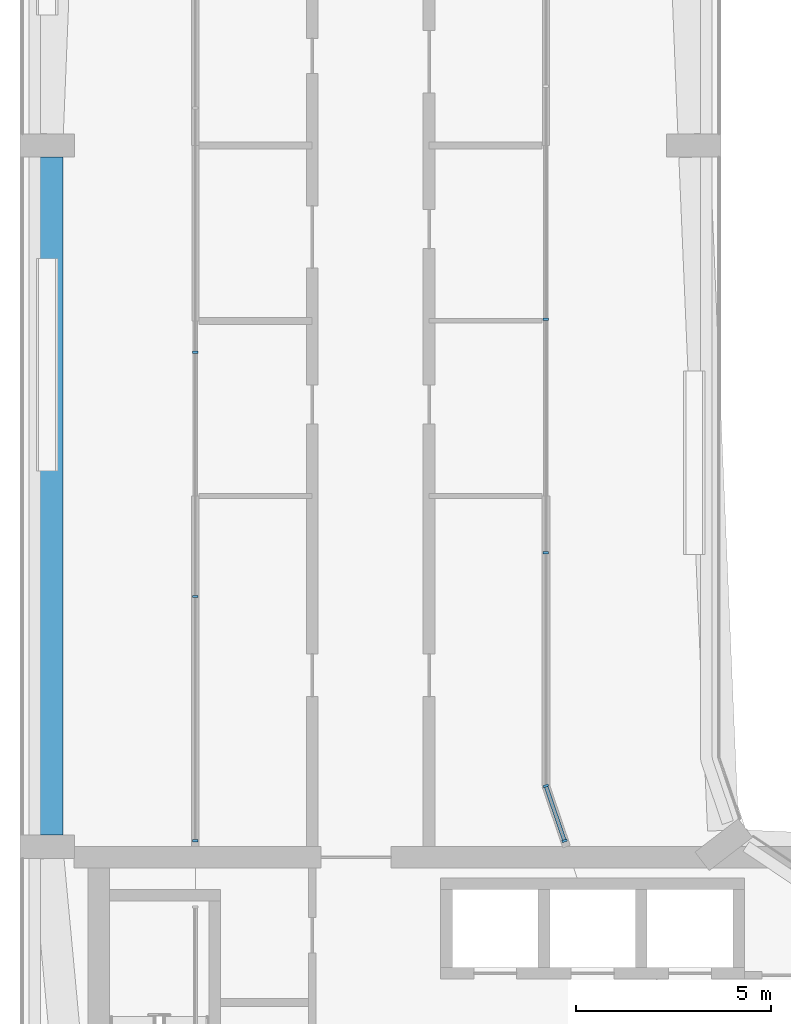
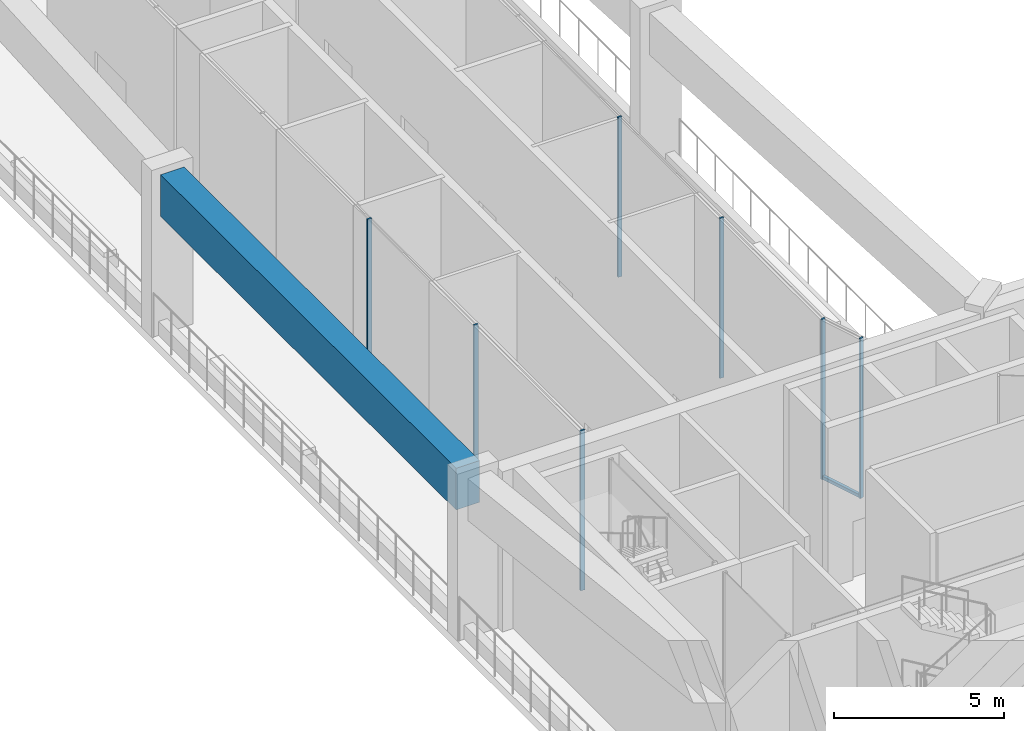
# One storey, part 4 of 17: 8 members, 1 beam, 3 elements without a shape of their own.
"""IFC4 building model written with IfcOpenShell, lengths in metres."""

from ifc_helpers import new_model, si_unit, direction, frame, origin, origin_2d, place, context, subcontext, project, spatial, rectangle, extrude, material, layer, layer_set, material_profile, profile_set, type_object, element, aggregate, save


model = new_model("IFC4")

# Units and contexts
model_context = context("Model", 3, precision=1e-05, world=origin(), true_north=direction((0.0, 1.0)))
body_context = subcontext(model_context, "Body", "Model", "MODEL_VIEW")
ifc_project = project(units=[si_unit("LENGTHUNIT", "METRE"), si_unit("AREAUNIT", "SQUARE_METRE"), si_unit("VOLUMEUNIT", "CUBIC_METRE"), si_unit("PLANEANGLEUNIT", "RADIAN"), si_unit("MASSUNIT", "GRAM", prefix="KILO")], contexts=[model_context])

# Site, building, storey
site_placement = place(None, origin())
site = spatial("IfcSite", under=ifc_project, at=site_placement, CompositionType="ELEMENT")
building_placement = place(site_placement, origin())
building = spatial("IfcBuilding", under=site, at=building_placement, Name="Plateau Cross Towers", CompositionType="ELEMENT")
storey_placement = place(building_placement, frame((0.0, 0.0, 184.89990234375)))
storey = spatial("IfcBuildingStorey", under=building, at=storey_placement, Name="L48", CompositionType="ELEMENT", Elevation=184.89990234375)

# Beam
ifc_material_1 = material(Name="Concrete C60/75", Category="concrete")
ifc_material_profile_1 = material_profile(ifc_material_1, rectangle(XDim=0.800048828125, YDim=1.5, at=origin_2d()), Name="RC 800x1500")
ifc_profile_set_1 = profile_set([ifc_material_profile_1], Name="Concrete C60/75")
beam_type = type_object("IfcBeamType", Name="Belt beam RC 800x1500", PredefinedType="BEAM", material=ifc_profile_set_1)
beam_placement = place(storey_placement, frame((0.699951171875, 35.699951171875, 5.0), z_axis=(0.0, -1.0, 0.0), x_axis=(1.0, 0.0, 0.0)))
element("IfcBeam", 1, at=beam_placement, inside=storey, type_object=beam_type, Name="BELT-L48-10", PredefinedType="BEAM", context=body_context, shape_type="SweptSolid", body=[
    extrude(rectangle(XDim=0.800048828125, YDim=1.5, at=origin_2d()), origin(), (0.0, 0.0, 1.0), 17.39990234375),
])

# Curtain wall, members
ifc_material_2 = material(Name="Dark low-iron glass", Category="glass")
ifc_layer = layer(ifc_material_2, 0.239990234375)
ifc_layer_set = layer_set([ifc_layer], Name="Dark low-iron glass")
curtain_wall_type = type_object("IfcCurtainWallType", Name="Curtain wall flush unitised CW-B", PredefinedType="NOTDEFINED", material=ifc_layer_set)
curtain_wall_1_placement = place(storey_placement, origin())
curtain_wall_1 = element("IfcCurtainWall", 2, at=curtain_wall_1_placement, inside=storey, type_object=curtain_wall_type, Name="ENV/A/L48/inner0_45_182", PredefinedType="NOTDEFINED")
ifc_material_3 = material(Name="Black anodised aluminium", Category="aluminium")
ifc_material_profile_2 = material_profile(ifc_material_3, rectangle(XDim=0.06005859375, YDim=0.139892578125, at=origin_2d()), Name="MULLION 60x140")
ifc_profile_set_2 = profile_set([ifc_material_profile_2], Name="Black anodised aluminium")
member_type_1 = type_object("IfcMemberType", Name="Mullion 60x140 flush unitised", PredefinedType="MULLION", material=ifc_profile_set_2)
member_1_placement = place(storey_placement, frame((4.5, 18.14990234375, 0.0), z_axis=(0.0, 0.0, 1.0), x_axis=(0.0, 1.0, 0.0)))
member_1 = element("IfcMember", 3, at=member_1_placement, type_object=member_type_1, Name="CW-B mullion 1", PredefinedType="MULLION", context=body_context, shape_type="SweptSolid", body=[
    extrude(rectangle(XDim=0.06005859375, YDim=0.139892578125, at=origin_2d()), origin(), (0.0, 0.0, 1.0), 5.75),
])
member_2_placement = place(storey_placement, frame((4.5, 24.419921875, 0.0), z_axis=(0.0, 0.0, 1.0), x_axis=(0.0, 1.0, 0.0)))
member_2 = element("IfcMember", 4, at=member_2_placement, type_object=member_type_1, Name="CW-B mullion 2", PredefinedType="MULLION", context=body_context, shape_type="SweptSolid", body=[
    extrude(rectangle(XDim=0.06005859375, YDim=0.139892578125, at=origin_2d()), origin(), (0.0, 0.0, 1.0), 5.75),
])
member_3_placement = place(storey_placement, frame((4.5, 30.68994140625, 0.0), z_axis=(0.0, 0.0, 1.0), x_axis=(0.0, 1.0, 0.0)))
member_3 = element("IfcMember", 5, at=member_3_placement, type_object=member_type_1, Name="CW-B mullion 3", PredefinedType="MULLION", context=body_context, shape_type="SweptSolid", body=[
    extrude(rectangle(XDim=0.06005859375, YDim=0.139892578125, at=origin_2d()), origin(), (0.0, 0.0, 1.0), 5.75),
])
aggregate(curtain_wall_1, [member_1, member_2, member_3])

curtain_wall_2_placement = place(storey_placement, origin())
curtain_wall_2 = element("IfcCurtainWall", 6, at=curtain_wall_2_placement, inside=storey, type_object=curtain_wall_type, Name="ENV/A/L48/inner0_135_495", PredefinedType="NOTDEFINED")
member_4_placement = place(storey_placement, frame((13.5, 31.53564453125, 0.0), z_axis=(0.0, 0.0, 1.0), x_axis=(0.0, -1.0, 0.0)))
member_4 = element("IfcMember", 7, at=member_4_placement, type_object=member_type_1, Name="CW-B mullion 4", PredefinedType="MULLION", context=body_context, shape_type="SweptSolid", body=[
    extrude(rectangle(XDim=0.06005859375, YDim=0.139892578125, at=origin_2d()), origin(), (0.0, 0.0, 1.0), 5.75),
])
member_5_placement = place(storey_placement, frame((13.5, 25.54736328125, 0.0), z_axis=(0.0, 0.0, 1.0), x_axis=(0.0, -1.0, 0.0)))
member_5 = element("IfcMember", 8, at=member_5_placement, type_object=member_type_1, Name="CW-B mullion 5", PredefinedType="MULLION", context=body_context, shape_type="SweptSolid", body=[
    extrude(rectangle(XDim=0.06005859375, YDim=0.139892578125, at=origin_2d()), origin(), (0.0, 0.0, 1.0), 5.75),
])
aggregate(curtain_wall_2, [member_4, member_5])

curtain_wall_3_placement = place(storey_placement, origin())
curtain_wall_3 = element("IfcCurtainWall", 9, at=curtain_wall_3_placement, inside=storey, type_object=curtain_wall_type, Name="ENV/A/L48/inner0_135_196", PredefinedType="NOTDEFINED")
member_6_placement = place(storey_placement, frame((13.5, 19.559326171875, 0.0), z_axis=(0.0, 0.0, 1.0), x_axis=(0.321469161574, -0.94692004845, 0.0)))
member_6 = element("IfcMember", 10, at=member_6_placement, type_object=member_type_1, Name="CW-B mullion 1", PredefinedType="MULLION", context=body_context, shape_type="SweptSolid", body=[
    extrude(rectangle(XDim=0.06005859375, YDim=0.139892578125, at=origin_2d()), origin(), (0.0, 0.0, 1.0), 5.75),
])
member_7_placement = place(storey_placement, frame((13.97900390625, 18.1484375, 0.0), z_axis=(0.0, 0.0, 1.0), x_axis=(0.321469161574, -0.94692004845, 0.0)))
member_7 = element("IfcMember", 11, at=member_7_placement, type_object=member_type_1, Name="CW-B mullion 2", PredefinedType="MULLION", context=body_context, shape_type="SweptSolid", body=[
    extrude(rectangle(XDim=0.06005859375, YDim=0.139892578125, at=origin_2d()), origin(), (0.0, 0.0, 1.0), 5.75),
])
ifc_material_profile_3 = material_profile(ifc_material_3, rectangle(XDim=0.10009765625, YDim=0.1201171875, at=origin_2d()), Name="TRANSOM 100x120")
ifc_profile_set_3 = profile_set([ifc_material_profile_3], Name="Black anodised aluminium")
member_type_2 = type_object("IfcMemberType", Name="Transom 100x120 flush unitised", PredefinedType="USERDEFINED", material=ifc_profile_set_3)
member_8_placement = place(storey_placement, frame((13.5, 19.559326171875, 0.06005859375), z_axis=(0.321482636991, -0.946915473584, 0.0), x_axis=(0.946915473584, 0.321482636991, 0.0)))
member_8 = element("IfcMember", 12, at=member_8_placement, type_object=member_type_2, Name="CW-B transom", ObjectType="TRANSOM", PredefinedType="USERDEFINED", context=body_context, shape_type="SweptSolid", body=[
    extrude(rectangle(XDim=0.10009765625, YDim=0.1201171875, at=origin_2d()), origin(), (0.0, 0.0, 1.0), 1.489990234375),
])
aggregate(curtain_wall_3, [member_6, member_7, member_8])

save(model, "model.ifc")
